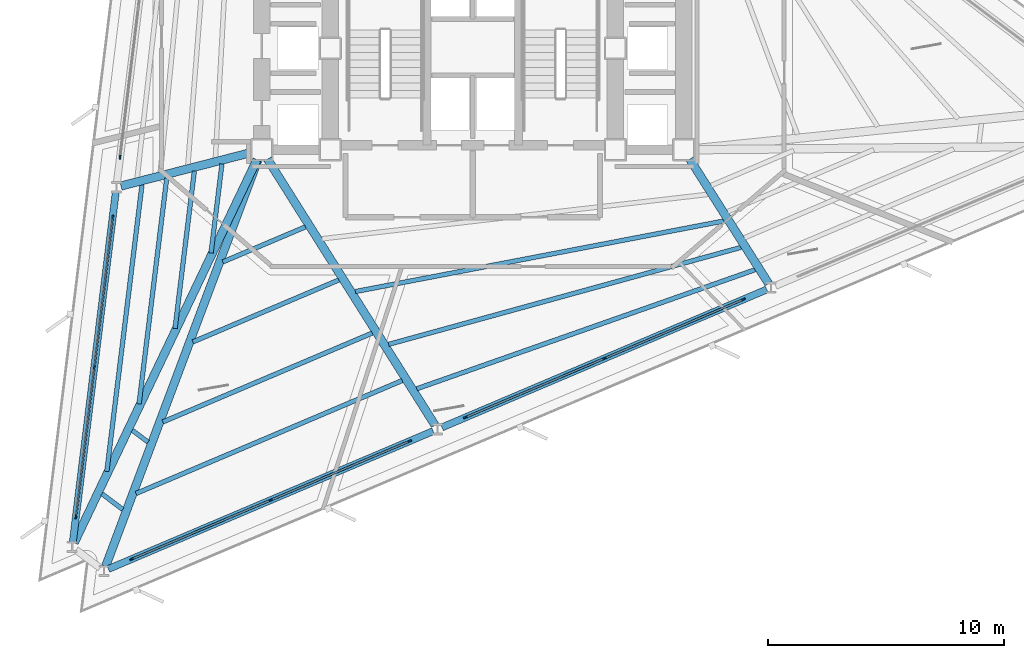
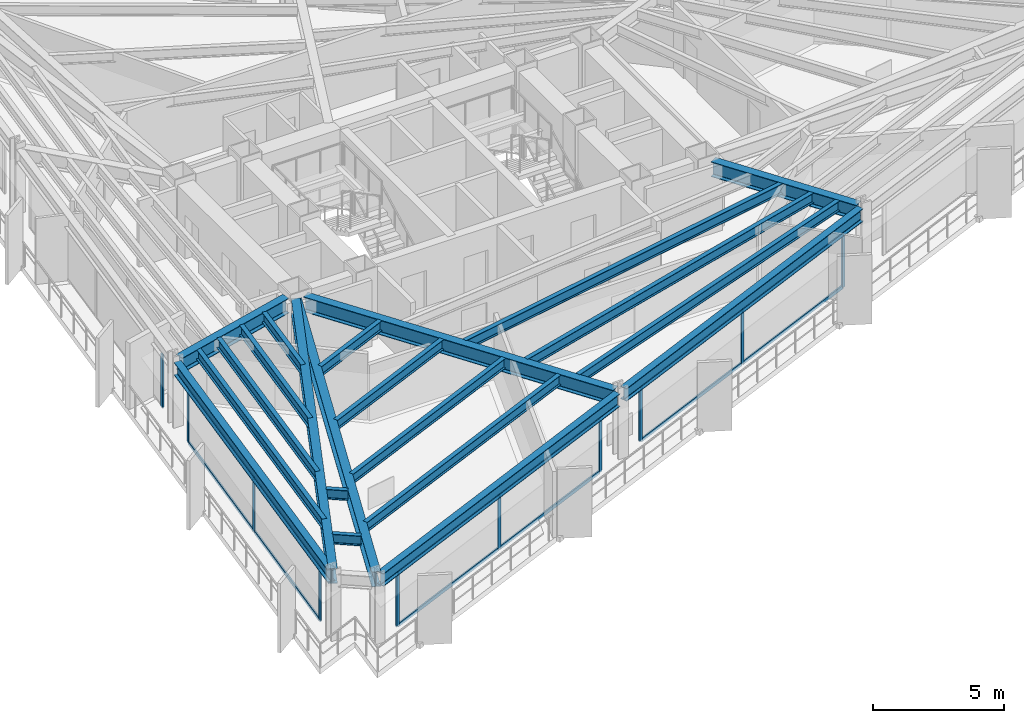
# One storey, part 2 of 13: 22 members, 21 beams, 4 elements without a shape of their own.
"""IFC4 building model written with IfcOpenShell, lengths in metres."""

from ifc_helpers import new_model, si_unit, direction, frame, origin, origin_2d, place, context, subcontext, project, spatial, rectangle, i_section, extrude, material, layer, layer_set, material_profile, profile_set, type_object, element, aggregate, save


model = new_model("IFC4")

# Units and contexts
model_context = context("Model", 3, precision=1e-05, world=origin(), true_north=direction((0.0, 1.0)))
body_context = subcontext(model_context, "Body", "Model", "MODEL_VIEW")
ifc_project = project(units=[si_unit("LENGTHUNIT", "METRE"), si_unit("AREAUNIT", "SQUARE_METRE"), si_unit("VOLUMEUNIT", "CUBIC_METRE"), si_unit("PLANEANGLEUNIT", "RADIAN"), si_unit("MASSUNIT", "GRAM", prefix="KILO")], contexts=[model_context])

# Site, building, storey
site_placement = place(None, origin())
site = spatial("IfcSite", under=ifc_project, at=site_placement, CompositionType="ELEMENT")
building_placement = place(site_placement, origin())
building = spatial("IfcBuilding", under=site, at=building_placement, Name="Rocaltana Carrier Exchange", CompositionType="ELEMENT")
storey_placement = place(building_placement, frame((0.0, 0.0, 56.320068359375)))
storey = spatial("IfcBuildingStorey", under=building, at=storey_placement, Name="L17", CompositionType="ELEMENT", Elevation=56.320068359375)

# Curtain wall, member
ifc_material_1 = material(Name="Aluminium 6063-T6", Category="aluminium")
ifc_layer = layer(ifc_material_1, 0.1650390625)
ifc_layer_set = layer_set([ifc_layer], Name="Aluminium 6063-T6")
curtain_wall_type = type_object("IfcCurtainWallType", Name="Lower-Mid Stepped Curtain Wall CW-02", PredefinedType="NOTDEFINED", material=ifc_layer_set)
curtain_wall_1_placement = place(storey_placement, origin())
curtain_wall_1 = element("IfcCurtainWall", 1, at=curtain_wall_1_placement, inside=storey, type_object=curtain_wall_type, Name="L17 CW-02 Run CW-L17-F2S2", PredefinedType="NOTDEFINED")
ifc_material_2 = material(Name="Aluminium 6063-T6", Category="aluminium")
ifc_material_profile_1 = material_profile(ifc_material_2, rectangle(XDim=0.06494140625, YDim=0.1650390625, at=origin_2d()), Name="AL-65X165")
ifc_profile_set_1 = profile_set([ifc_material_profile_1], Name="Aluminium 6063-T6")
member_type_1 = type_object("IfcMemberType", Name="CW-02 Mullion AL-65X165", PredefinedType="MULLION", material=ifc_profile_set_1)
member_1_placement = place(storey_placement, frame((-14.954345703125, -4.61279296875, 0.0), z_axis=(0.0, 0.0, 1.0), x_axis=(0.992545632614, -0.121873570472, 0.0)))
member_1 = element("IfcMember", 2, at=member_1_placement, type_object=member_type_1, Name="CW-02 mullion 3", PredefinedType="MULLION", context=body_context, shape_type="SweptSolid", body=[
    extrude(rectangle(XDim=0.06494140625, YDim=0.1650390625, at=origin_2d()), origin(), (0.0, 0.0, 1.0), 2.47802734375),
])
aggregate(curtain_wall_1, [member_1])

# Curtain wall, members
curtain_wall_2_placement = place(storey_placement, origin())
curtain_wall_2 = element("IfcCurtainWall", 3, at=curtain_wall_2_placement, inside=storey, type_object=curtain_wall_type, Name="L17 CW-02 Run CW-L17-F2S3", PredefinedType="NOTDEFINED")
member_2_placement = place(storey_placement, frame((-15.266845703125, -7.15869140625, 0.0), z_axis=(0.0, 0.0, 1.0), x_axis=(0.992544692438, -0.121881227076, 0.0)))
member_2 = element("IfcMember", 4, at=member_2_placement, type_object=member_type_1, Name="CW-02 mullion 1", PredefinedType="MULLION", context=body_context, shape_type="SweptSolid", body=[
    extrude(rectangle(XDim=0.06494140625, YDim=0.1650390625, at=origin_2d()), origin(), (0.0, 0.0, 1.0), 2.47802734375),
])
member_3_placement = place(storey_placement, frame((-16.047119140625, -13.51171875, 0.0), z_axis=(0.0, 0.0, 1.0), x_axis=(0.992544692438, -0.121881227076, 0.0)))
member_3 = element("IfcMember", 5, at=member_3_placement, type_object=member_type_1, Name="CW-02 mullion 2", PredefinedType="MULLION", context=body_context, shape_type="SweptSolid", body=[
    extrude(rectangle(XDim=0.06494140625, YDim=0.1650390625, at=origin_2d()), origin(), (0.0, 0.0, 1.0), 2.47802734375),
])
member_4_placement = place(storey_placement, frame((-16.8271484375, -19.86474609375, 0.0), z_axis=(0.0, 0.0, 1.0), x_axis=(0.992544692438, -0.121881227076, 0.0)))
member_4 = element("IfcMember", 6, at=member_4_placement, type_object=member_type_1, Name="CW-02 mullion 3", PredefinedType="MULLION", context=body_context, shape_type="SweptSolid", body=[
    extrude(rectangle(XDim=0.06494140625, YDim=0.1650390625, at=origin_2d()), origin(), (0.0, 0.0, 1.0), 2.47802734375),
])

curtain_wall_3_placement = place(storey_placement, origin())
curtain_wall_3 = element("IfcCurtainWall", 7, at=curtain_wall_3_placement, inside=storey, type_object=curtain_wall_type, Name="L17 CW-02 Run CW-L17-F3S1", PredefinedType="NOTDEFINED")
member_5_placement = place(storey_placement, frame((-14.457275390625, -21.650634765625, 0.0), z_axis=(0.0, 0.0, 1.0), x_axis=(-0.390728673724, 0.920505895435, 0.0)))
member_5 = element("IfcMember", 8, at=member_5_placement, type_object=member_type_1, Name="CW-02 mullion 1", PredefinedType="MULLION", context=body_context, shape_type="SweptSolid", body=[
    extrude(rectangle(XDim=0.06494140625, YDim=0.1650390625, at=origin_2d()), origin(), (0.0, 0.0, 1.0), 2.47802734375),
])
member_6_placement = place(storey_placement, frame((-8.565185546875, -19.149658203125, 0.0), z_axis=(0.0, 0.0, 1.0), x_axis=(-0.390728673724, 0.920505895435, 0.0)))
member_6 = element("IfcMember", 9, at=member_6_placement, type_object=member_type_1, Name="CW-02 mullion 2", PredefinedType="MULLION", context=body_context, shape_type="SweptSolid", body=[
    extrude(rectangle(XDim=0.06494140625, YDim=0.1650390625, at=origin_2d()), origin(), (0.0, 0.0, 1.0), 2.47802734375),
])
member_7_placement = place(storey_placement, frame((-2.673095703125, -16.648681640625, 0.0), z_axis=(0.0, 0.0, 1.0), x_axis=(-0.390728673724, 0.920505895435, 0.0)))
member_7 = element("IfcMember", 10, at=member_7_placement, type_object=member_type_1, Name="CW-02 mullion 3", PredefinedType="MULLION", context=body_context, shape_type="SweptSolid", body=[
    extrude(rectangle(XDim=0.06494140625, YDim=0.1650390625, at=origin_2d()), origin(), (0.0, 0.0, 1.0), 2.47802734375),
])

curtain_wall_4_placement = place(storey_placement, origin())
curtain_wall_4 = element("IfcCurtainWall", 11, at=curtain_wall_4_placement, inside=storey, type_object=curtain_wall_type, Name="L17 CW-02 Run CW-L17-F3S2", PredefinedType="NOTDEFINED")
member_8_placement = place(storey_placement, frame((-0.31201171875, -15.646484375, 0.0), z_axis=(0.0, 0.0, 1.0), x_axis=(-0.390728673724, 0.920505895435, 0.0)))
member_8 = element("IfcMember", 12, at=member_8_placement, type_object=member_type_1, Name="CW-02 mullion 1", PredefinedType="MULLION", context=body_context, shape_type="SweptSolid", body=[
    extrude(rectangle(XDim=0.06494140625, YDim=0.1650390625, at=origin_2d()), origin(), (0.0, 0.0, 1.0), 2.47802734375),
])
member_9_placement = place(storey_placement, frame((5.579833984375, -13.1455078125, 0.0), z_axis=(0.0, 0.0, 1.0), x_axis=(-0.390728673724, 0.920505895435, 0.0)))
member_9 = element("IfcMember", 13, at=member_9_placement, type_object=member_type_1, Name="CW-02 mullion 2", PredefinedType="MULLION", context=body_context, shape_type="SweptSolid", body=[
    extrude(rectangle(XDim=0.06494140625, YDim=0.1650390625, at=origin_2d()), origin(), (0.0, 0.0, 1.0), 2.47802734375),
])
member_10_placement = place(storey_placement, frame((11.471923828125, -10.64453125, 0.0), z_axis=(0.0, 0.0, 1.0), x_axis=(-0.390728673724, 0.920505895435, 0.0)))
member_10 = element("IfcMember", 14, at=member_10_placement, type_object=member_type_1, Name="CW-02 mullion 3", PredefinedType="MULLION", context=body_context, shape_type="SweptSolid", body=[
    extrude(rectangle(XDim=0.06494140625, YDim=0.1650390625, at=origin_2d()), origin(), (0.0, 0.0, 1.0), 2.47802734375),
])

# Member
ifc_material_3 = material(Name="Aluminium 6063-T6", Category="aluminium")
ifc_material_profile_2 = material_profile(ifc_material_3, rectangle(XDim=0.06494140625, YDim=0.1650390625, at=origin_2d()), Name="AL-65X165")
ifc_profile_set_2 = profile_set([ifc_material_profile_2], Name="Aluminium 6063-T6")
member_type_2 = type_object("IfcMemberType", Name="CW-02 Transom AL-65X165", PredefinedType="USERDEFINED", material=ifc_profile_set_2)
member_11_placement = place(storey_placement, frame((-15.270751953125, -7.19091796875, 0.032470703125), z_axis=(-0.121881311797, -0.992544682034, 0.0), x_axis=(0.992544682034, -0.121881311797, 0.0)))
member_11 = element("IfcMember", 15, at=member_11_placement, type_object=member_type_2, Name="CW-02 transom 1.1", ObjectType="TRANSOM", PredefinedType="USERDEFINED", context=body_context, shape_type="SweptSolid", body=[
    extrude(rectangle(XDim=0.06494140625, YDim=0.1650390625, at=origin_2d()), origin(), (0.0, 0.0, 1.0), 6.335693359375),
])

member_12_placement = place(storey_placement, frame((-15.270751953125, -7.19091796875, 2.4453125), z_axis=(-0.121881311797, -0.992544682034, 0.0), x_axis=(0.992544682034, -0.121881311797, 0.0)))
member_12 = element("IfcMember", 16, at=member_12_placement, type_object=member_type_2, Name="CW-02 transom 1.2", ObjectType="TRANSOM", PredefinedType="USERDEFINED", context=body_context, shape_type="SweptSolid", body=[
    extrude(rectangle(XDim=0.06494140625, YDim=0.1650390625, at=origin_2d()), origin(), (0.0, 0.0, 1.0), 6.335693359375),
])

member_13_placement = place(storey_placement, frame((-16.051025390625, -13.5439453125, 0.032470703125), z_axis=(-0.121881311797, -0.992544682034, 0.0), x_axis=(0.992544682034, -0.121881311797, 0.0)))
member_13 = element("IfcMember", 17, at=member_13_placement, type_object=member_type_2, Name="CW-02 transom 2.1", ObjectType="TRANSOM", PredefinedType="USERDEFINED", context=body_context, shape_type="SweptSolid", body=[
    extrude(rectangle(XDim=0.06494140625, YDim=0.1650390625, at=origin_2d()), origin(), (0.0, 0.0, 1.0), 6.335693359375),
])

member_14_placement = place(storey_placement, frame((-16.051025390625, -13.5439453125, 2.4453125), z_axis=(-0.121881311797, -0.992544682034, 0.0), x_axis=(0.992544682034, -0.121881311797, 0.0)))
member_14 = element("IfcMember", 18, at=member_14_placement, type_object=member_type_2, Name="CW-02 transom 2.2", ObjectType="TRANSOM", PredefinedType="USERDEFINED", context=body_context, shape_type="SweptSolid", body=[
    extrude(rectangle(XDim=0.06494140625, YDim=0.1650390625, at=origin_2d()), origin(), (0.0, 0.0, 1.0), 6.335693359375),
])

aggregate(curtain_wall_2, [member_2, member_3, member_4, member_11, member_12, member_13, member_14])

member_15_placement = place(storey_placement, frame((-14.42724609375, -21.637939453125, 0.032470703125), z_axis=(0.920508718486, 0.390722022916, 0.0), x_axis=(-0.390722022916, 0.920508718486, 0.0)))
member_15 = element("IfcMember", 19, at=member_15_placement, type_object=member_type_2, Name="CW-02 transom 1.1", ObjectType="TRANSOM", PredefinedType="USERDEFINED", context=body_context, shape_type="SweptSolid", body=[
    extrude(rectangle(XDim=0.06494140625, YDim=0.1650390625, at=origin_2d()), origin(), (0.0, 0.0, 1.0), 6.3359375),
])

member_16_placement = place(storey_placement, frame((-14.42724609375, -21.637939453125, 2.4453125), z_axis=(0.920508718486, 0.390722022916, 0.0), x_axis=(-0.390722022916, 0.920508718486, 0.0)))
member_16 = element("IfcMember", 20, at=member_16_placement, type_object=member_type_2, Name="CW-02 transom 1.2", ObjectType="TRANSOM", PredefinedType="USERDEFINED", context=body_context, shape_type="SweptSolid", body=[
    extrude(rectangle(XDim=0.06494140625, YDim=0.1650390625, at=origin_2d()), origin(), (0.0, 0.0, 1.0), 6.3359375),
])

member_17_placement = place(storey_placement, frame((-8.53515625, -19.136962890625, 0.032470703125), z_axis=(0.920502835622, 0.390735882167, 0.0), x_axis=(-0.390735882167, 0.920502835622, 0.0)))
member_17 = element("IfcMember", 21, at=member_17_placement, type_object=member_type_2, Name="CW-02 transom 2.1", ObjectType="TRANSOM", PredefinedType="USERDEFINED", context=body_context, shape_type="SweptSolid", body=[
    extrude(rectangle(XDim=0.06494140625, YDim=0.1650390625, at=origin_2d()), origin(), (0.0, 0.0, 1.0), 6.335693359375),
])

member_18_placement = place(storey_placement, frame((-8.53515625, -19.136962890625, 2.4453125), z_axis=(0.920502835622, 0.390735882167, 0.0), x_axis=(-0.390735882167, 0.920502835622, 0.0)))
member_18 = element("IfcMember", 22, at=member_18_placement, type_object=member_type_2, Name="CW-02 transom 2.2", ObjectType="TRANSOM", PredefinedType="USERDEFINED", context=body_context, shape_type="SweptSolid", body=[
    extrude(rectangle(XDim=0.06494140625, YDim=0.1650390625, at=origin_2d()), origin(), (0.0, 0.0, 1.0), 6.335693359375),
])

aggregate(curtain_wall_3, [member_5, member_6, member_7, member_15, member_16, member_17, member_18])

member_19_placement = place(storey_placement, frame((-0.2822265625, -15.6337890625, 0.032470703125), z_axis=(0.920508718486, 0.390722022916, 0.0), x_axis=(-0.390722022916, 0.920508718486, 0.0)))
member_19 = element("IfcMember", 23, at=member_19_placement, type_object=member_type_2, Name="CW-02 transom 1.1", ObjectType="TRANSOM", PredefinedType="USERDEFINED", context=body_context, shape_type="SweptSolid", body=[
    extrude(rectangle(XDim=0.06494140625, YDim=0.1650390625, at=origin_2d()), origin(), (0.0, 0.0, 1.0), 6.3359375),
])

member_20_placement = place(storey_placement, frame((-0.2822265625, -15.6337890625, 2.4453125), z_axis=(0.920508718486, 0.390722022916, 0.0), x_axis=(-0.390722022916, 0.920508718486, 0.0)))
member_20 = element("IfcMember", 24, at=member_20_placement, type_object=member_type_2, Name="CW-02 transom 1.2", ObjectType="TRANSOM", PredefinedType="USERDEFINED", context=body_context, shape_type="SweptSolid", body=[
    extrude(rectangle(XDim=0.06494140625, YDim=0.1650390625, at=origin_2d()), origin(), (0.0, 0.0, 1.0), 6.3359375),
])

member_21_placement = place(storey_placement, frame((5.60986328125, -13.1328125, 0.032470703125), z_axis=(0.920508718486, 0.390722022916, 0.0), x_axis=(-0.390722022916, 0.920508718486, 0.0)))
member_21 = element("IfcMember", 25, at=member_21_placement, type_object=member_type_2, Name="CW-02 transom 2.1", ObjectType="TRANSOM", PredefinedType="USERDEFINED", context=body_context, shape_type="SweptSolid", body=[
    extrude(rectangle(XDim=0.06494140625, YDim=0.1650390625, at=origin_2d()), origin(), (0.0, 0.0, 1.0), 6.3359375),
])

member_22_placement = place(storey_placement, frame((5.60986328125, -13.1328125, 2.4453125), z_axis=(0.920508718486, 0.390722022916, 0.0), x_axis=(-0.390722022916, 0.920508718486, 0.0)))
member_22 = element("IfcMember", 26, at=member_22_placement, type_object=member_type_2, Name="CW-02 transom 2.2", ObjectType="TRANSOM", PredefinedType="USERDEFINED", context=body_context, shape_type="SweptSolid", body=[
    extrude(rectangle(XDim=0.06494140625, YDim=0.1650390625, at=origin_2d()), origin(), (0.0, 0.0, 1.0), 6.3359375),
])

aggregate(curtain_wall_4, [member_8, member_9, member_10, member_19, member_20, member_21, member_22])

# Beams
ifc_material_4 = material(Name="Steel S355", Category="steel")
ifc_material_profile_3 = material_profile(ifc_material_4, i_section(OverallWidth=0.193115234375, OverallDepth=0.466064453125, WebThickness=0.011474609375, FlangeThickness=0.01904296875, FilletRadius=0.013916015625, at=origin_2d()), Name="W18X65")
ifc_profile_set_3 = profile_set([ifc_material_profile_3], Name="Steel S355")
beam_type_1 = type_object("IfcBeamType", Name="Floor Joist W18X65", PredefinedType="JOIST", material=ifc_profile_set_3)
beam_1_placement = place(storey_placement, frame((-10.63427734375, -4.8984375, 2.864990234375), z_axis=(-0.121879106214, -0.99254495287, 0.0), x_axis=(0.99254495287, -0.121879106214, 0.0)))
element("IfcBeam", 27, at=beam_1_placement, inside=storey, type_object=beam_type_1, Name="FJ-L17-07-1", PredefinedType="JOIST", context=body_context, shape_type="SweptSolid", body=[
    extrude(i_section(OverallWidth=0.193115234375, OverallDepth=0.466064453125, WebThickness=0.011474609375, FlangeThickness=0.01904296875, FilletRadius=0.013916015625, at=origin_2d()), origin(), (0.0, 0.0, 1.0), 3.805908203125),
])
beam_2_placement = place(storey_placement, frame((-11.8046875, -5.19970703125, 2.864990234375), z_axis=(-0.121894438401, -0.992543070041, 0.0), x_axis=(0.992543070041, -0.121894438401, 0.0)))
element("IfcBeam", 28, at=beam_2_placement, inside=storey, type_object=beam_type_1, Name="FJ-L17-07-2", PredefinedType="JOIST", context=body_context, shape_type="SweptSolid", body=[
    extrude(i_section(OverallWidth=0.193115234375, OverallDepth=0.466064453125, WebThickness=0.011474609375, FlangeThickness=0.01904296875, FilletRadius=0.013916015625, at=origin_2d()), origin(), (0.0, 0.0, 1.0), 6.7255859375),
])
beam_3_placement = place(storey_placement, frame((-12.975341796875, -5.5009765625, 2.864990234375), z_axis=(-0.121878614676, -0.992545013228, 0.0), x_axis=(0.992545013228, -0.121878614676, 0.0)))
element("IfcBeam", 29, at=beam_3_placement, inside=storey, type_object=beam_type_1, Name="FJ-L17-07-3", PredefinedType="JOIST", context=body_context, shape_type="SweptSolid", body=[
    extrude(i_section(OverallWidth=0.193115234375, OverallDepth=0.466064453125, WebThickness=0.011474609375, FlangeThickness=0.01904296875, FilletRadius=0.013916015625, at=origin_2d()), origin(), (0.0, 0.0, 1.0), 9.645263671875),
])
beam_4_placement = place(storey_placement, frame((-14.022705078125, -5.7705078125, 2.864990234375), z_axis=(-0.121874778131, -0.992545484326, 0.0), x_axis=(0.992545484326, -0.121874778131, 0.0)))
element("IfcBeam", 30, at=beam_4_placement, inside=storey, type_object=beam_type_1, Name="FJ-L17-07-4", PredefinedType="JOIST", context=body_context, shape_type="SweptSolid", body=[
    extrude(i_section(OverallWidth=0.193115234375, OverallDepth=0.466064453125, WebThickness=0.011474609375, FlangeThickness=0.01904296875, FilletRadius=0.013916015625, at=origin_2d()), origin(), (0.0, 0.0, 1.0), 12.257568359375),
])
beam_5_placement = place(storey_placement, frame((-14.436279296875, -16.189697265625, 2.864990234375), z_axis=(0.798596771992, -0.601866426845, 0.0), x_axis=(0.601866426845, 0.798596771992, 0.0)))
element("IfcBeam", 31, at=beam_5_placement, inside=storey, type_object=beam_type_1, Name="FJ-L17-08-3", PredefinedType="JOIST", context=body_context, shape_type="SweptSolid", body=[
    extrude(i_section(OverallWidth=0.193115234375, OverallDepth=0.466064453125, WebThickness=0.011474609375, FlangeThickness=0.01904296875, FilletRadius=0.013916015625, at=origin_2d()), origin(), (0.0, 0.0, 1.0), 0.83642578125),
])
beam_6_placement = place(storey_placement, frame((-15.7216796875, -18.8837890625, 2.864990234375), z_axis=(0.798673550691, -0.601764538193, 0.0), x_axis=(0.601764538193, 0.798673550691, 0.0)))
element("IfcBeam", 32, at=beam_6_placement, inside=storey, type_object=beam_type_1, Name="FJ-L17-08-4", PredefinedType="JOIST", context=body_context, shape_type="SweptSolid", body=[
    extrude(i_section(OverallWidth=0.193115234375, OverallDepth=0.466064453125, WebThickness=0.011474609375, FlangeThickness=0.01904296875, FilletRadius=0.013916015625, at=origin_2d()), origin(), (0.0, 0.0, 1.0), 1.10595703125),
])
beam_7_placement = place(storey_placement, frame((-10.597900390625, -9.052978515625, 2.864990234375), z_axis=(0.920509781797, 0.390719517834, 0.0), x_axis=(-0.390719517834, 0.920509781797, 0.0)))
element("IfcBeam", 33, at=beam_7_placement, inside=storey, type_object=beam_type_1, Name="FJ-L17-09-1", PredefinedType="JOIST", context=body_context, shape_type="SweptSolid", body=[
    extrude(i_section(OverallWidth=0.193115234375, OverallDepth=0.466064453125, WebThickness=0.011474609375, FlangeThickness=0.01904296875, FilletRadius=0.013916015625, at=origin_2d()), origin(), (0.0, 0.0, 1.0), 3.805908203125),
])
beam_8_placement = place(storey_placement, frame((-11.868408203125, -12.44482421875, 2.864990234375), z_axis=(0.920502665094, 0.390736283898, 0.0), x_axis=(-0.390736283898, 0.920502665094, 0.0)))
element("IfcBeam", 34, at=beam_8_placement, inside=storey, type_object=beam_type_1, Name="FJ-L17-09-2", PredefinedType="JOIST", context=body_context, shape_type="SweptSolid", body=[
    extrude(i_section(OverallWidth=0.193115234375, OverallDepth=0.466064453125, WebThickness=0.011474609375, FlangeThickness=0.01904296875, FilletRadius=0.013916015625, at=origin_2d()), origin(), (0.0, 0.0, 1.0), 6.7255859375),
])
beam_9_placement = place(storey_placement, frame((-13.13916015625, -15.836669921875, 2.864990234375), z_axis=(0.920512824991, 0.390712348188, 0.0), x_axis=(-0.390712348188, 0.920512824991, 0.0)))
element("IfcBeam", 35, at=beam_9_placement, inside=storey, type_object=beam_type_1, Name="FJ-L17-09-3", PredefinedType="JOIST", context=body_context, shape_type="SweptSolid", body=[
    extrude(i_section(OverallWidth=0.193115234375, OverallDepth=0.466064453125, WebThickness=0.011474609375, FlangeThickness=0.01904296875, FilletRadius=0.013916015625, at=origin_2d()), origin(), (0.0, 0.0, 1.0), 9.645263671875),
])
beam_10_placement = place(storey_placement, frame((-14.27587890625, -18.87158203125, 2.864990234375), z_axis=(0.92049843191, 0.39074625635, 0.0), x_axis=(-0.39074625635, 0.92049843191, 0.0)))
element("IfcBeam", 36, at=beam_10_placement, inside=storey, type_object=beam_type_1, Name="FJ-L17-09-4", PredefinedType="JOIST", context=body_context, shape_type="SweptSolid", body=[
    extrude(i_section(OverallWidth=0.193115234375, OverallDepth=0.466064453125, WebThickness=0.011474609375, FlangeThickness=0.01904296875, FilletRadius=0.013916015625, at=origin_2d()), origin(), (0.0, 0.0, 1.0), 12.25732421875),
])
beam_11_placement = place(storey_placement, frame((-4.978271484375, -10.31005859375, 2.864990234375), z_axis=(0.982142482744, 0.188138628647, 0.0), x_axis=(-0.188138628647, 0.982142482744, 0.0)))
element("IfcBeam", 37, at=beam_11_placement, inside=storey, type_object=beam_type_1, Name="FJ-L17-10-2", PredefinedType="JOIST", context=body_context, shape_type="SweptSolid", body=[
    extrude(i_section(OverallWidth=0.193115234375, OverallDepth=0.466064453125, WebThickness=0.011474609375, FlangeThickness=0.01904296875, FilletRadius=0.013916015625, at=origin_2d()), origin(), (0.0, 0.0, 1.0), 15.9326171875),
])
beam_12_placement = place(storey_placement, frame((-3.564453125, -12.5478515625, 2.864990234375), z_axis=(0.964150794225, 0.265354943415, 0.0), x_axis=(-0.265354943415, 0.964150794225, 0.0)))
element("IfcBeam", 38, at=beam_12_placement, inside=storey, type_object=beam_type_1, Name="FJ-L17-10-3", PredefinedType="JOIST", context=body_context, shape_type="SweptSolid", body=[
    extrude(i_section(OverallWidth=0.193115234375, OverallDepth=0.466064453125, WebThickness=0.011474609375, FlangeThickness=0.01904296875, FilletRadius=0.013916015625, at=origin_2d()), origin(), (0.0, 0.0, 1.0), 15.496337890625),
])
beam_13_placement = place(storey_placement, frame((-2.375, -14.431884765625, 2.864990234375), z_axis=(0.943283630241, 0.331987940924, 0.0), x_axis=(-0.331987940924, 0.943283630241, 0.0)))
element("IfcBeam", 39, at=beam_13_placement, inside=storey, type_object=beam_type_1, Name="FJ-L17-10-4", PredefinedType="JOIST", context=body_context, shape_type="SweptSolid", body=[
    extrude(i_section(OverallWidth=0.193115234375, OverallDepth=0.466064453125, WebThickness=0.011474609375, FlangeThickness=0.01904296875, FilletRadius=0.013916015625, at=origin_2d()), origin(), (0.0, 0.0, 1.0), 15.2099609375),
])
ifc_material_5 = material(Name="Steel S355", Category="steel")
ifc_material_profile_4 = material_profile(ifc_material_5, i_section(OverallWidth=0.35498046875, OverallDepth=0.695068359375, WebThickness=0.015380859375, FlangeThickness=0.02490234375, FilletRadius=0.01806640625, at=origin_2d()), Name="W27X146")
ifc_profile_set_4 = profile_set([ifc_material_profile_4], Name="Steel S355")
beam_type_2 = type_object("IfcBeamType", Name="Radial Girder W27X146", PredefinedType="BEAM", material=ifc_profile_set_4)
beam_14_placement = place(storey_placement, frame((-9.40234375, -4.41650390625, 2.75048828125), z_axis=(-0.968443537088, -0.249233054534, 0.0), x_axis=(0.249233054534, -0.968443537088, 0.0)))
element("IfcBeam", 40, at=beam_14_placement, inside=storey, type_object=beam_type_2, Name="RG-L17-07", PredefinedType="BEAM", context=body_context, shape_type="SweptSolid", body=[
    extrude(i_section(OverallWidth=0.35498046875, OverallDepth=0.695068359375, WebThickness=0.015380859375, FlangeThickness=0.02490234375, FilletRadius=0.01806640625, at=origin_2d()), origin(), (0.0, 0.0, 1.0), 5.6904296875),
])
beam_15_placement = place(storey_placement, frame((-9.151123046875, -4.721435546875, 2.75048828125), z_axis=(-0.430603189331, -0.902541352702, 0.0), x_axis=(0.902541352702, -0.430603189331, 0.0)))
element("IfcBeam", 41, at=beam_15_placement, inside=storey, type_object=beam_type_2, Name="RG-L17-08", PredefinedType="BEAM", context=body_context, shape_type="SweptSolid", body=[
    extrude(i_section(OverallWidth=0.35498046875, OverallDepth=0.695068359375, WebThickness=0.015380859375, FlangeThickness=0.02490234375, FilletRadius=0.01806640625, at=origin_2d()), origin(), (0.0, 0.0, 1.0), 17.98486328125),
])
beam_16_placement = place(storey_placement, frame((-9.11376953125, -4.7373046875, 2.75048828125), z_axis=(-0.350819393194, -0.936443139416, 0.0), x_axis=(0.936443139416, -0.350819393194, 0.0)))
element("IfcBeam", 42, at=beam_16_placement, inside=storey, type_object=beam_type_2, Name="RG-L17-09", PredefinedType="BEAM", context=body_context, shape_type="SweptSolid", body=[
    extrude(i_section(OverallWidth=0.35498046875, OverallDepth=0.695068359375, WebThickness=0.015380859375, FlangeThickness=0.02490234375, FilletRadius=0.01806640625, at=origin_2d()), origin(), (0.0, 0.0, 1.0), 18.392333984375),
])
beam_17_placement = place(storey_placement, frame((-8.701171875, -4.6953125, 2.75048828125), z_axis=(0.53269326445, -0.846308387061, 0.0), x_axis=(0.846308387061, 0.53269326445, 0.0)))
element("IfcBeam", 43, at=beam_17_placement, inside=storey, type_object=beam_type_2, Name="RG-L17-10", PredefinedType="BEAM", context=body_context, shape_type="SweptSolid", body=[
    extrude(i_section(OverallWidth=0.35498046875, OverallDepth=0.695068359375, WebThickness=0.015380859375, FlangeThickness=0.02490234375, FilletRadius=0.01806640625, at=origin_2d()), origin(), (0.0, 0.0, 1.0), 13.328125),
])
beam_18_placement = place(storey_placement, frame((9.199951171875, -4.694580078125, 2.75048828125), z_axis=(0.535212931664, -0.844717182127, 0.0), x_axis=(0.844717182127, 0.535212931664, 0.0)))
element("IfcBeam", 44, at=beam_18_placement, inside=storey, type_object=beam_type_2, Name="RG-L17-11", PredefinedType="BEAM", context=body_context, shape_type="SweptSolid", body=[
    extrude(i_section(OverallWidth=0.35498046875, OverallDepth=0.695068359375, WebThickness=0.015380859375, FlangeThickness=0.02490234375, FilletRadius=0.01806640625, at=origin_2d()), origin(), (0.0, 0.0, 1.0), 6.24658203125),
])
ifc_material_6 = material(Name="Steel S355", Category="steel")
ifc_material_profile_5 = material_profile(ifc_material_6, i_section(OverallWidth=0.300048828125, OverallDepth=0.60009765625, WebThickness=0.015380859375, FlangeThickness=0.030029296875, FilletRadius=0.027099609375, at=origin_2d()), Name="HEB600")
ifc_profile_set_5 = profile_set([ifc_material_profile_5], Name="Steel S355")
beam_type_3 = type_object("IfcBeamType", Name="Spandrel Edge Beam HEB600", PredefinedType="SPANDREL", material=ifc_profile_set_5)
for number, where, z_axis, x_axis, name in (
    (45, (-15.135498046875, -6.088134765625, 2.7978515625), (-0.121869017222, -0.992546191691, 0.0), (0.992546191691, -0.121869017222, 0.0), "SP-L17-07"),
    (46, (-15.449951171875, -22.072021484375, 2.7978515625), (0.920507081962, 0.390725878407, 0.0), (-0.390725878407, 0.920507081962, 0.0), "SP-L17-09"),
):
    element("IfcBeam", number, at=place(storey_placement, frame(where, z_axis=z_axis, x_axis=x_axis)), inside=storey, type_object=beam_type_3, Name=name, PredefinedType="SPANDREL", context=body_context, shape_type="SweptSolid", body=[
        extrude(i_section(OverallWidth=0.300048828125, OverallDepth=0.60009765625, WebThickness=0.015380859375, FlangeThickness=0.030029296875, FilletRadius=0.027099609375, at=origin_2d()), origin(), (0.0, 0.0, 1.0), 14.958740234375),
    ])
beam_19_placement = place(storey_placement, frame((-1.3046875, -16.06787109375, 2.7978515625), z_axis=(0.920504590225, 0.390731748613, 0.0), x_axis=(-0.390731748613, 0.920504590225, 0.0)))
element("IfcBeam", 47, at=beam_19_placement, inside=storey, type_object=beam_type_3, Name="SP-L17-10", PredefinedType="SPANDREL", context=body_context, shape_type="SweptSolid", body=[
    extrude(i_section(OverallWidth=0.300048828125, OverallDepth=0.60009765625, WebThickness=0.015380859375, FlangeThickness=0.030029296875, FilletRadius=0.027099609375, at=origin_2d()), origin(), (0.0, 0.0, 1.0), 14.95849609375),
])

save(model, "model.ifc")
